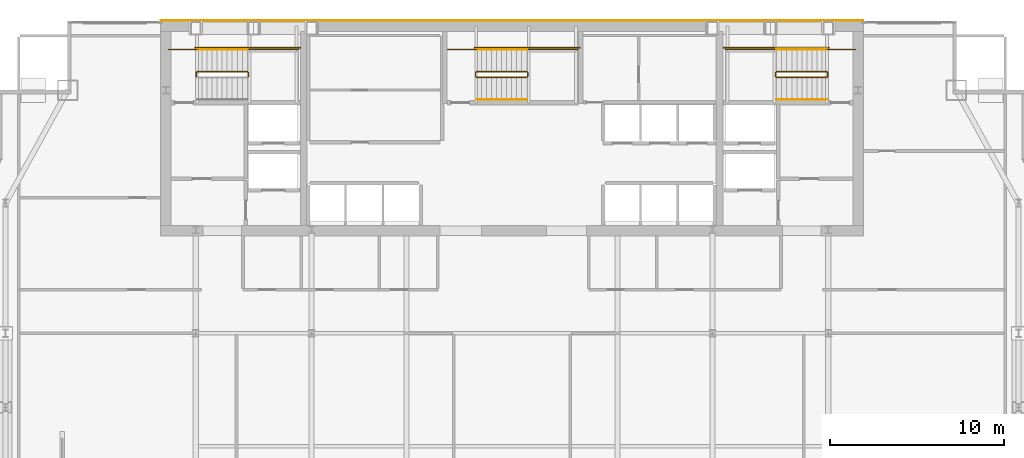
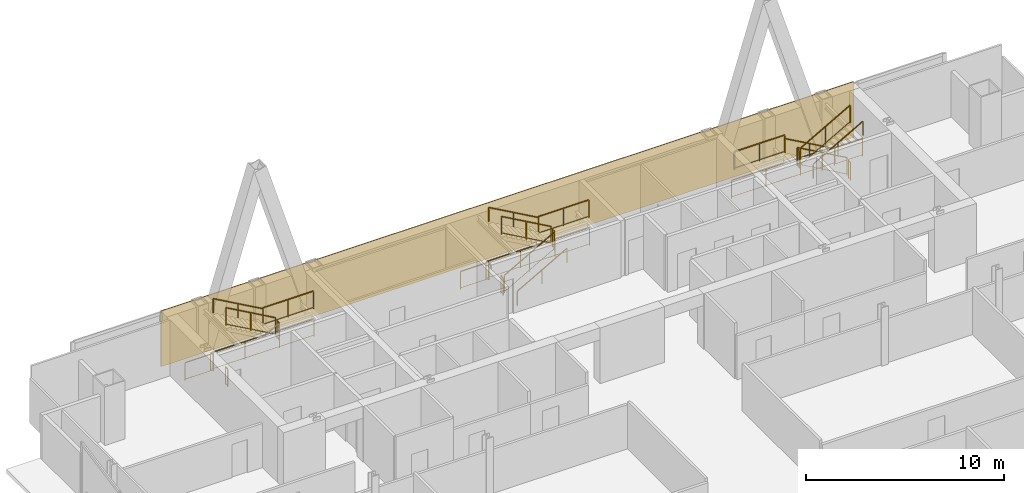
# One storey, part 32 of 32: 25 railings, 1 covering.
"""IFC4 building model written with IfcOpenShell, lengths in metres."""

from ifc_helpers import new_model, si_unit, direction, frame, origin, origin_2d, place, context, subcontext, project, spatial, polyline, rectangle, outline, extrude, material, layer, layer_set, type_object, element, save


model = new_model("IFC4")

# Units and contexts
model_context = context("Model", 3, precision=1e-05, world=origin(), true_north=direction((0.0, 1.0)))
body_context = subcontext(model_context, "Body", "Model", "MODEL_VIEW")
ifc_project = project(units=[si_unit("LENGTHUNIT", "METRE"), si_unit("AREAUNIT", "SQUARE_METRE"), si_unit("VOLUMEUNIT", "CUBIC_METRE"), si_unit("PLANEANGLEUNIT", "RADIAN"), si_unit("MASSUNIT", "GRAM", prefix="KILO")], contexts=[model_context])

# Site, building, storey
site_placement = place(None, origin())
site = spatial("IfcSite", under=ifc_project, at=site_placement, CompositionType="ELEMENT")
building_placement = place(site_placement, origin())
building = spatial("IfcBuilding", under=site, at=building_placement, Name="Khoronbel Lancet Exchange", CompositionType="ELEMENT")
storey_placement = place(building_placement, frame((0.0, 0.0, 188.60009765625)))
storey = spatial("IfcBuildingStorey", under=building, at=storey_placement, Name="L47", CompositionType="ELEMENT", Elevation=188.60009765625)

# Covering
ifc_material_1 = material(Name="Honed Egyptian Limestone & Bronze Rainscreen", Category="masonry")
ifc_layer = layer(ifc_material_1, 0.050048828125, Name="Honed Egyptian Limestone & Bronze Rainscreen")
ifc_layer_set = layer_set([ifc_layer], Name="Honed Egyptian Limestone & Bronze Rainscreen")
covering_type = type_object("IfcCoveringType", Name="COV-CLAD1", PredefinedType="CLADDING", material=ifc_layer_set)
covering_placement = place(storey_placement, origin())
element("IfcCovering", 1, at=covering_placement, inside=storey, type_object=covering_type, Name="Level L47 north rear-core stone and bronze rainscreen cladding", PredefinedType="CLADDING", context=body_context, shape_type="SweptSolid", body=[
    extrude(outline(polyline([(16.199951171875, 53.699951171875), (56.699951171875, 53.699951171875), (56.699951171875, 53.75), (16.199951171875, 53.75), (16.199951171875, 53.699951171875)])), origin(), (0.0, 0.0, 1.0), 3.43994140625),
])

# Railings
ifc_material_2 = material(Name="Painted Steel Balustrade", Category="steel")
railing_type_1 = type_object("IfcRailingType", Name="RL-STG110", PredefinedType="GUARDRAIL", material=ifc_material_2)
railing_1_placement = place(storey_placement, frame((21.25, 50.5, 1.7998046875)))
element("IfcRailing", 2, at=railing_1_placement, inside=storey, type_object=railing_type_1, Name="L47 ST1 stair guard 2", PredefinedType="GUARDRAIL", context=body_context, shape_type="SweptSolid", body=[
    extrude(rectangle(XDim=0.048095703125, YDim=0.048095703125, at=origin_2d()), frame((0.0, 0.0, 1.09619140625), z_axis=(0.0, 1.0, 0.0), x_axis=(-1.0, 0.0, 0.0)), (0.0, 0.0, 1.0), 0.219970703125),
    extrude(rectangle(XDim=0.02392578125, YDim=0.02392578125, at=origin_2d()), frame((0.0, 0.0, 0.080078125), z_axis=(0.0, 1.0, 0.0), x_axis=(-1.0, 0.0, 0.0)), (0.0, 0.0, 1.0), 0.219970703125),
    extrude(rectangle(XDim=0.0419921875, YDim=0.0419921875, at=origin_2d()), origin(), (0.0, 0.0, 1.0), 1.072021484375),
    extrude(rectangle(XDim=0.0419921875, YDim=0.0419921875, at=origin_2d()), frame((0.0, 0.219970703125, 0.0)), (0.0, 0.0, 1.0), 1.072021484375),
])
railing_2_placement = place(storey_placement, frame((21.199951171875, 52.050048828125, 1.7998046875)))
element("IfcRailing", 3, at=railing_2_placement, inside=storey, type_object=railing_type_1, Name="L47 ST1 stair guard 3", PredefinedType="GUARDRAIL", context=body_context, shape_type="SweptSolid", body=[
    extrude(rectangle(XDim=0.048095703125, YDim=0.048095703125, at=origin_2d()), frame((0.0, 0.0, 1.09619140625), z_axis=(1.0, 0.0, 0.0), x_axis=(0.0, 1.0, 0.0)), (0.0, 0.0, 1.0), 2.949951171875),
    extrude(rectangle(XDim=0.02392578125, YDim=0.02392578125, at=origin_2d()), frame((0.0, 0.0, 0.080078125), z_axis=(1.0, 0.0, 0.0), x_axis=(0.0, 1.0, 0.0)), (0.0, 0.0, 1.0), 2.949951171875),
    extrude(rectangle(XDim=0.0419921875, YDim=0.0419921875, at=origin_2d()), origin(), (0.0, 0.0, 1.0), 1.072021484375),
    extrude(rectangle(XDim=0.0419921875, YDim=0.0419921875, at=origin_2d()), frame((1.47509765625, 0.0, 0.0)), (0.0, 0.0, 1.0), 1.072021484375),
    extrude(rectangle(XDim=0.0419921875, YDim=0.0419921875, at=origin_2d()), frame((2.949951171875, 0.0, 0.0)), (0.0, 0.0, 1.0), 1.072021484375),
])
railing_3_placement = place(storey_placement, frame((21.199951171875, 50.77001953125, 1.963623046875)))
element("IfcRailing", 4, at=railing_3_placement, inside=storey, type_object=railing_type_1, Name="L47 ST1 stair guard 4", PredefinedType="GUARDRAIL", context=body_context, shape_type="SweptSolid", body=[
    extrude(rectangle(XDim=0.048095703125, YDim=0.048095703125, at=origin_2d()), frame((0.0, 0.0, 1.09619140625), z_axis=(-0.870928581787, 0.0, 0.491409610636), x_axis=(0.0, -1.0, 0.0)), (0.0, 0.0, 1.0), 3.32958984375),
    extrude(rectangle(XDim=0.02392578125, YDim=0.02392578125, at=origin_2d()), frame((0.0, 0.0, 0.080078125), z_axis=(-0.870928581787, 0.0, 0.491409610636), x_axis=(0.0, -1.0, 0.0)), (0.0, 0.0, 1.0), 3.32958984375),
    extrude(rectangle(XDim=0.0419921875, YDim=0.0419921875, at=origin_2d()), origin(), (0.0, 0.0, 1.0), 1.072021484375),
    extrude(rectangle(XDim=0.0419921875, YDim=0.0419921875, at=origin_2d()), frame((-1.449951171875, 0.0, 0.818115234375)), (0.0, 0.0, 1.0), 1.072021484375),
    extrude(rectangle(XDim=0.0419921875, YDim=0.0419921875, at=origin_2d()), frame((-2.89990234375, 0.0, 1.63623046875)), (0.0, 0.0, 1.0), 1.072021484375),
])
railing_4_placement = place(storey_placement, frame((18.25, 50.5, 0.0)))
element("IfcRailing", 5, at=railing_4_placement, inside=storey, type_object=railing_type_1, Name="L47 ST1 stair guard 5", PredefinedType="GUARDRAIL", context=body_context, shape_type="SweptSolid", body=[
    extrude(rectangle(XDim=0.048095703125, YDim=0.048095703125, at=origin_2d()), frame((0.0, 0.0, 1.09619140625), z_axis=(0.0, 1.0, 0.0), x_axis=(-1.0, 0.0, 0.0)), (0.0, 0.0, 1.0), 0.219970703125),
    extrude(rectangle(XDim=0.02392578125, YDim=0.02392578125, at=origin_2d()), frame((0.0, 0.0, 0.080078125), z_axis=(0.0, 1.0, 0.0), x_axis=(-1.0, 0.0, 0.0)), (0.0, 0.0, 1.0), 0.219970703125),
    extrude(rectangle(XDim=0.0419921875, YDim=0.0419921875, at=origin_2d()), origin(), (0.0, 0.0, 1.0), 1.072021484375),
    extrude(rectangle(XDim=0.0419921875, YDim=0.0419921875, at=origin_2d()), frame((0.0, 0.219970703125, 0.0)), (0.0, 0.0, 1.0), 1.072021484375),
])
railing_5_placement = place(storey_placement, frame((16.64990234375, 52.050048828125, 0.0)))
element("IfcRailing", 6, at=railing_5_placement, inside=storey, type_object=railing_type_1, Name="L47 ST1 stair guard 6", PredefinedType="GUARDRAIL", context=body_context, shape_type="SweptSolid", body=[
    extrude(rectangle(XDim=0.048095703125, YDim=0.048095703125, at=origin_2d()), frame((0.0, 0.0, 1.09619140625), z_axis=(1.0, 0.0, 0.0), x_axis=(0.0, 1.0, 0.0)), (0.0, 0.0, 1.0), 1.650146484375),
    extrude(rectangle(XDim=0.02392578125, YDim=0.02392578125, at=origin_2d()), frame((0.0, 0.0, 0.080078125), z_axis=(1.0, 0.0, 0.0), x_axis=(0.0, 1.0, 0.0)), (0.0, 0.0, 1.0), 1.650146484375),
    extrude(rectangle(XDim=0.0419921875, YDim=0.0419921875, at=origin_2d()), origin(), (0.0, 0.0, 1.0), 1.072021484375),
    extrude(rectangle(XDim=0.0419921875, YDim=0.0419921875, at=origin_2d()), frame((1.650146484375, 0.0, 0.0)), (0.0, 0.0, 1.0), 1.072021484375),
])
railing_6_placement = place(storey_placement, frame((18.199951171875, 52.14990234375, 0.0)))
element("IfcRailing", 7, at=railing_6_placement, inside=storey, type_object=railing_type_1, Name="L47 ST1 stair guard 7", PredefinedType="GUARDRAIL", context=body_context, shape_type="SweptSolid", body=[
    extrude(rectangle(XDim=0.048095703125, YDim=0.048095703125, at=origin_2d()), frame((0.0, 0.0, 1.09619140625), z_axis=(1.0, 0.0, 0.0), x_axis=(0.0, 1.0, 0.0)), (0.0, 0.0, 1.0), 6.050048828125),
    extrude(rectangle(XDim=0.02392578125, YDim=0.02392578125, at=origin_2d()), frame((0.0, 0.0, 0.080078125), z_axis=(1.0, 0.0, 0.0), x_axis=(0.0, 1.0, 0.0)), (0.0, 0.0, 1.0), 6.050048828125),
    extrude(rectangle(XDim=0.0419921875, YDim=0.0419921875, at=origin_2d()), origin(), (0.0, 0.0, 1.0), 1.072021484375),
    extrude(rectangle(XDim=0.0419921875, YDim=0.0419921875, at=origin_2d()), frame((2.0166015625, 0.0, 0.0)), (0.0, 0.0, 1.0), 1.072021484375),
    extrude(rectangle(XDim=0.0419921875, YDim=0.0419921875, at=origin_2d()), frame((4.033447265625, 0.0, 0.0)), (0.0, 0.0, 1.0), 1.072021484375),
    extrude(rectangle(XDim=0.0419921875, YDim=0.0419921875, at=origin_2d()), frame((6.050048828125, 0.0, 0.0)), (0.0, 0.0, 1.0), 1.072021484375),
])
railing_7_placement = place(storey_placement, frame((54.60009765625, 50.77001953125, 0.16357421875)))
element("IfcRailing", 8, at=railing_7_placement, inside=storey, type_object=railing_type_1, Name="L47 ST2 stair guard 1", PredefinedType="GUARDRAIL", context=body_context, shape_type="SweptSolid", body=[
    extrude(rectangle(XDim=0.048095703125, YDim=0.048095703125, at=origin_2d()), frame((0.0, 0.0, 1.09619140625), z_axis=(-0.870946286338, 0.0, 0.49137823142), x_axis=(0.0, -1.0, 0.0)), (0.0, 0.0, 1.0), 3.329833984375),
    extrude(rectangle(XDim=0.02392578125, YDim=0.02392578125, at=origin_2d()), frame((0.0, 0.0, 0.080078125), z_axis=(-0.870946286338, 0.0, 0.49137823142), x_axis=(0.0, -1.0, 0.0)), (0.0, 0.0, 1.0), 3.329833984375),
    extrude(rectangle(XDim=0.0419921875, YDim=0.0419921875, at=origin_2d()), origin(), (0.0, 0.0, 1.0), 1.072021484375),
    extrude(rectangle(XDim=0.0419921875, YDim=0.0419921875, at=origin_2d()), frame((-1.4501953125, 0.0, 0.818115234375)), (0.0, 0.0, 1.0), 1.072021484375),
    extrude(rectangle(XDim=0.0419921875, YDim=0.0419921875, at=origin_2d()), frame((-2.900146484375, 0.0, 1.63623046875)), (0.0, 0.0, 1.0), 1.072021484375),
])
railing_8_placement = place(storey_placement, frame((51.64990234375, 50.719970703125, 1.7998046875)))
element("IfcRailing", 9, at=railing_8_placement, inside=storey, type_object=railing_type_1, Name="L47 ST2 stair guard 2", PredefinedType="GUARDRAIL", context=body_context, shape_type="SweptSolid", body=[
    extrude(rectangle(XDim=0.048095703125, YDim=0.048095703125, at=origin_2d()), frame((0.0, 0.0, 1.09619140625), z_axis=(0.0, -1.0, 0.0), x_axis=(1.0, 0.0, 0.0)), (0.0, 0.0, 1.0), 0.219970703125),
    extrude(rectangle(XDim=0.02392578125, YDim=0.02392578125, at=origin_2d()), frame((0.0, 0.0, 0.080078125), z_axis=(0.0, -1.0, 0.0), x_axis=(1.0, 0.0, 0.0)), (0.0, 0.0, 1.0), 0.219970703125),
    extrude(rectangle(XDim=0.0419921875, YDim=0.0419921875, at=origin_2d()), origin(), (0.0, 0.0, 1.0), 1.072021484375),
    extrude(rectangle(XDim=0.0419921875, YDim=0.0419921875, at=origin_2d()), frame((0.0, -0.219970703125, 0.0)), (0.0, 0.0, 1.0), 1.072021484375),
])
railing_9_placement = place(storey_placement, frame((51.699951171875, 52.050048828125, 1.7998046875)))
element("IfcRailing", 10, at=railing_9_placement, inside=storey, type_object=railing_type_1, Name="L47 ST2 stair guard 3", PredefinedType="GUARDRAIL", context=body_context, shape_type="SweptSolid", body=[
    extrude(rectangle(XDim=0.048095703125, YDim=0.048095703125, at=origin_2d()), frame((0.0, 0.0, 1.09619140625), z_axis=(-1.0, 0.0, 0.0), x_axis=(0.0, -1.0, 0.0)), (0.0, 0.0, 1.0), 2.949951171875),
    extrude(rectangle(XDim=0.02392578125, YDim=0.02392578125, at=origin_2d()), frame((0.0, 0.0, 0.080078125), z_axis=(-1.0, 0.0, 0.0), x_axis=(0.0, -1.0, 0.0)), (0.0, 0.0, 1.0), 2.949951171875),
    extrude(rectangle(XDim=0.0419921875, YDim=0.0419921875, at=origin_2d()), origin(), (0.0, 0.0, 1.0), 1.072021484375),
    extrude(rectangle(XDim=0.0419921875, YDim=0.0419921875, at=origin_2d()), frame((-1.47509765625, 0.0, 0.0)), (0.0, 0.0, 1.0), 1.072021484375),
    extrude(rectangle(XDim=0.0419921875, YDim=0.0419921875, at=origin_2d()), frame((-2.949951171875, 0.0, 0.0)), (0.0, 0.0, 1.0), 1.072021484375),
])
railing_10_placement = place(storey_placement, frame((51.699951171875, 50.449951171875, 1.963623046875)))
element("IfcRailing", 11, at=railing_10_placement, inside=storey, type_object=railing_type_1, Name="L47 ST2 stair guard 4", PredefinedType="GUARDRAIL", context=body_context, shape_type="SweptSolid", body=[
    extrude(rectangle(XDim=0.048095703125, YDim=0.048095703125, at=origin_2d()), frame((0.0, 0.0, 1.09619140625), z_axis=(0.870946286338, 0.0, 0.49137823142), x_axis=(0.0, 1.0, 0.0)), (0.0, 0.0, 1.0), 3.329833984375),
    extrude(rectangle(XDim=0.02392578125, YDim=0.02392578125, at=origin_2d()), frame((0.0, 0.0, 0.080078125), z_axis=(0.870946286338, 0.0, 0.49137823142), x_axis=(0.0, 1.0, 0.0)), (0.0, 0.0, 1.0), 3.329833984375),
    extrude(rectangle(XDim=0.0419921875, YDim=0.0419921875, at=origin_2d()), origin(), (0.0, 0.0, 1.0), 1.072021484375),
    extrude(rectangle(XDim=0.0419921875, YDim=0.0419921875, at=origin_2d()), frame((1.4501953125, 0.0, 0.818115234375)), (0.0, 0.0, 1.0), 1.072021484375),
    extrude(rectangle(XDim=0.0419921875, YDim=0.0419921875, at=origin_2d()), frame((2.900146484375, 0.0, 1.63623046875)), (0.0, 0.0, 1.0), 1.072021484375),
])
railing_11_placement = place(storey_placement, frame((54.64990234375, 50.719970703125, 0.0)))
element("IfcRailing", 12, at=railing_11_placement, inside=storey, type_object=railing_type_1, Name="L47 ST2 stair guard 5", PredefinedType="GUARDRAIL", context=body_context, shape_type="SweptSolid", body=[
    extrude(rectangle(XDim=0.048095703125, YDim=0.048095703125, at=origin_2d()), frame((0.0, 0.0, 1.09619140625), z_axis=(0.0, -1.0, 0.0), x_axis=(1.0, 0.0, 0.0)), (0.0, 0.0, 1.0), 0.219970703125),
    extrude(rectangle(XDim=0.02392578125, YDim=0.02392578125, at=origin_2d()), frame((0.0, 0.0, 0.080078125), z_axis=(0.0, -1.0, 0.0), x_axis=(1.0, 0.0, 0.0)), (0.0, 0.0, 1.0), 0.219970703125),
    extrude(rectangle(XDim=0.0419921875, YDim=0.0419921875, at=origin_2d()), origin(), (0.0, 0.0, 1.0), 1.072021484375),
    extrude(rectangle(XDim=0.0419921875, YDim=0.0419921875, at=origin_2d()), frame((0.0, -0.219970703125, 0.0)), (0.0, 0.0, 1.0), 1.072021484375),
])
railing_12_placement = place(storey_placement, frame((56.25, 52.050048828125, 0.0)))
element("IfcRailing", 13, at=railing_12_placement, inside=storey, type_object=railing_type_1, Name="L47 ST2 stair guard 6", PredefinedType="GUARDRAIL", context=body_context, shape_type="SweptSolid", body=[
    extrude(rectangle(XDim=0.048095703125, YDim=0.048095703125, at=origin_2d()), frame((0.0, 0.0, 1.09619140625), z_axis=(-1.0, 0.0, 0.0), x_axis=(0.0, -1.0, 0.0)), (0.0, 0.0, 1.0), 1.64990234375),
    extrude(rectangle(XDim=0.02392578125, YDim=0.02392578125, at=origin_2d()), frame((0.0, 0.0, 0.080078125), z_axis=(-1.0, 0.0, 0.0), x_axis=(0.0, -1.0, 0.0)), (0.0, 0.0, 1.0), 1.64990234375),
    extrude(rectangle(XDim=0.0419921875, YDim=0.0419921875, at=origin_2d()), origin(), (0.0, 0.0, 1.0), 1.072021484375),
    extrude(rectangle(XDim=0.0419921875, YDim=0.0419921875, at=origin_2d()), frame((-1.64990234375, 0.0, 0.0)), (0.0, 0.0, 1.0), 1.072021484375),
])
railing_13_placement = place(storey_placement, frame((54.699951171875, 52.14990234375, 0.0)))
element("IfcRailing", 14, at=railing_13_placement, inside=storey, type_object=railing_type_1, Name="L47 ST2 stair guard 7", PredefinedType="GUARDRAIL", context=body_context, shape_type="SweptSolid", body=[
    extrude(rectangle(XDim=0.048095703125, YDim=0.048095703125, at=origin_2d()), frame((0.0, 0.0, 1.09619140625), z_axis=(-1.0, 0.0, 0.0), x_axis=(0.0, -1.0, 0.0)), (0.0, 0.0, 1.0), 6.050048828125),
    extrude(rectangle(XDim=0.02392578125, YDim=0.02392578125, at=origin_2d()), frame((0.0, 0.0, 0.080078125), z_axis=(-1.0, 0.0, 0.0), x_axis=(0.0, -1.0, 0.0)), (0.0, 0.0, 1.0), 6.050048828125),
    extrude(rectangle(XDim=0.0419921875, YDim=0.0419921875, at=origin_2d()), origin(), (0.0, 0.0, 1.0), 1.072021484375),
    extrude(rectangle(XDim=0.0419921875, YDim=0.0419921875, at=origin_2d()), frame((-2.0166015625, 0.0, 0.0)), (0.0, 0.0, 1.0), 1.072021484375),
    extrude(rectangle(XDim=0.0419921875, YDim=0.0419921875, at=origin_2d()), frame((-4.033447265625, 0.0, 0.0)), (0.0, 0.0, 1.0), 1.072021484375),
    extrude(rectangle(XDim=0.0419921875, YDim=0.0419921875, at=origin_2d()), frame((-6.050048828125, 0.0, 0.0)), (0.0, 0.0, 1.0), 1.072021484375),
])
railing_14_placement = place(storey_placement, frame((34.39990234375, 50.449951171875, 0.16357421875)))
element("IfcRailing", 15, at=railing_14_placement, inside=storey, type_object=railing_type_1, Name="L47 ST3 stair guard 1", PredefinedType="GUARDRAIL", context=body_context, shape_type="SweptSolid", body=[
    extrude(rectangle(XDim=0.048095703125, YDim=0.048095703125, at=origin_2d()), frame((0.0, 0.0, 1.09619140625), z_axis=(0.870946286338, 0.0, 0.49137823142), x_axis=(0.0, 1.0, 0.0)), (0.0, 0.0, 1.0), 3.329833984375),
    extrude(rectangle(XDim=0.02392578125, YDim=0.02392578125, at=origin_2d()), frame((0.0, 0.0, 0.080078125), z_axis=(0.870946286338, 0.0, 0.49137823142), x_axis=(0.0, 1.0, 0.0)), (0.0, 0.0, 1.0), 3.329833984375),
    extrude(rectangle(XDim=0.0419921875, YDim=0.0419921875, at=origin_2d()), origin(), (0.0, 0.0, 1.0), 1.072021484375),
    extrude(rectangle(XDim=0.0419921875, YDim=0.0419921875, at=origin_2d()), frame((1.4501953125, 0.0, 0.818115234375)), (0.0, 0.0, 1.0), 1.072021484375),
    extrude(rectangle(XDim=0.0419921875, YDim=0.0419921875, at=origin_2d()), frame((2.900146484375, 0.0, 1.63623046875)), (0.0, 0.0, 1.0), 1.072021484375),
])
railing_15_placement = place(storey_placement, frame((37.35009765625, 50.5, 1.7998046875)))
element("IfcRailing", 16, at=railing_15_placement, inside=storey, type_object=railing_type_1, Name="L47 ST3 stair guard 2", PredefinedType="GUARDRAIL", context=body_context, shape_type="SweptSolid", body=[
    extrude(rectangle(XDim=0.048095703125, YDim=0.048095703125, at=origin_2d()), frame((0.0, 0.0, 1.09619140625), z_axis=(0.0, 1.0, 0.0), x_axis=(-1.0, 0.0, 0.0)), (0.0, 0.0, 1.0), 0.219970703125),
    extrude(rectangle(XDim=0.02392578125, YDim=0.02392578125, at=origin_2d()), frame((0.0, 0.0, 0.080078125), z_axis=(0.0, 1.0, 0.0), x_axis=(-1.0, 0.0, 0.0)), (0.0, 0.0, 1.0), 0.219970703125),
    extrude(rectangle(XDim=0.0419921875, YDim=0.0419921875, at=origin_2d()), origin(), (0.0, 0.0, 1.0), 1.072021484375),
    extrude(rectangle(XDim=0.0419921875, YDim=0.0419921875, at=origin_2d()), frame((0.0, 0.219970703125, 0.0)), (0.0, 0.0, 1.0), 1.072021484375),
])
railing_16_placement = place(storey_placement, frame((37.300048828125, 52.050048828125, 1.7998046875)))
element("IfcRailing", 17, at=railing_16_placement, inside=storey, type_object=railing_type_1, Name="L47 ST3 stair guard 3", PredefinedType="GUARDRAIL", context=body_context, shape_type="SweptSolid", body=[
    extrude(rectangle(XDim=0.048095703125, YDim=0.048095703125, at=origin_2d()), frame((0.0, 0.0, 1.09619140625), z_axis=(1.0, 0.0, 0.0), x_axis=(0.0, 1.0, 0.0)), (0.0, 0.0, 1.0), 2.949951171875),
    extrude(rectangle(XDim=0.02392578125, YDim=0.02392578125, at=origin_2d()), frame((0.0, 0.0, 0.080078125), z_axis=(1.0, 0.0, 0.0), x_axis=(0.0, 1.0, 0.0)), (0.0, 0.0, 1.0), 2.949951171875),
    extrude(rectangle(XDim=0.0419921875, YDim=0.0419921875, at=origin_2d()), origin(), (0.0, 0.0, 1.0), 1.072021484375),
    extrude(rectangle(XDim=0.0419921875, YDim=0.0419921875, at=origin_2d()), frame((1.47509765625, 0.0, 0.0)), (0.0, 0.0, 1.0), 1.072021484375),
    extrude(rectangle(XDim=0.0419921875, YDim=0.0419921875, at=origin_2d()), frame((2.949951171875, 0.0, 0.0)), (0.0, 0.0, 1.0), 1.072021484375),
])
railing_17_placement = place(storey_placement, frame((37.300048828125, 50.77001953125, 1.963623046875)))
element("IfcRailing", 18, at=railing_17_placement, inside=storey, type_object=railing_type_1, Name="L47 ST3 stair guard 4", PredefinedType="GUARDRAIL", context=body_context, shape_type="SweptSolid", body=[
    extrude(rectangle(XDim=0.048095703125, YDim=0.048095703125, at=origin_2d()), frame((0.0, 0.0, 1.09619140625), z_axis=(-0.870946286338, 0.0, 0.49137823142), x_axis=(0.0, -1.0, 0.0)), (0.0, 0.0, 1.0), 3.329833984375),
    extrude(rectangle(XDim=0.02392578125, YDim=0.02392578125, at=origin_2d()), frame((0.0, 0.0, 0.080078125), z_axis=(-0.870946286338, 0.0, 0.49137823142), x_axis=(0.0, -1.0, 0.0)), (0.0, 0.0, 1.0), 3.329833984375),
    extrude(rectangle(XDim=0.0419921875, YDim=0.0419921875, at=origin_2d()), origin(), (0.0, 0.0, 1.0), 1.072021484375),
    extrude(rectangle(XDim=0.0419921875, YDim=0.0419921875, at=origin_2d()), frame((-1.4501953125, 0.0, 0.818115234375)), (0.0, 0.0, 1.0), 1.072021484375),
    extrude(rectangle(XDim=0.0419921875, YDim=0.0419921875, at=origin_2d()), frame((-2.900146484375, 0.0, 1.63623046875)), (0.0, 0.0, 1.0), 1.072021484375),
])
railing_18_placement = place(storey_placement, frame((34.35009765625, 50.5, 0.0)))
element("IfcRailing", 19, at=railing_18_placement, inside=storey, type_object=railing_type_1, Name="L47 ST3 stair guard 5", PredefinedType="GUARDRAIL", context=body_context, shape_type="SweptSolid", body=[
    extrude(rectangle(XDim=0.048095703125, YDim=0.048095703125, at=origin_2d()), frame((0.0, 0.0, 1.09619140625), z_axis=(0.0, 1.0, 0.0), x_axis=(-1.0, 0.0, 0.0)), (0.0, 0.0, 1.0), 0.219970703125),
    extrude(rectangle(XDim=0.02392578125, YDim=0.02392578125, at=origin_2d()), frame((0.0, 0.0, 0.080078125), z_axis=(0.0, 1.0, 0.0), x_axis=(-1.0, 0.0, 0.0)), (0.0, 0.0, 1.0), 0.219970703125),
    extrude(rectangle(XDim=0.0419921875, YDim=0.0419921875, at=origin_2d()), origin(), (0.0, 0.0, 1.0), 1.072021484375),
    extrude(rectangle(XDim=0.0419921875, YDim=0.0419921875, at=origin_2d()), frame((0.0, 0.219970703125, 0.0)), (0.0, 0.0, 1.0), 1.072021484375),
])
railing_19_placement = place(storey_placement, frame((32.75, 52.050048828125, 0.0)))
element("IfcRailing", 20, at=railing_19_placement, inside=storey, type_object=railing_type_1, Name="L47 ST3 stair guard 6", PredefinedType="GUARDRAIL", context=body_context, shape_type="SweptSolid", body=[
    extrude(rectangle(XDim=0.048095703125, YDim=0.048095703125, at=origin_2d()), frame((0.0, 0.0, 1.09619140625), z_axis=(1.0, 0.0, 0.0), x_axis=(0.0, 1.0, 0.0)), (0.0, 0.0, 1.0), 1.64990234375),
    extrude(rectangle(XDim=0.02392578125, YDim=0.02392578125, at=origin_2d()), frame((0.0, 0.0, 0.080078125), z_axis=(1.0, 0.0, 0.0), x_axis=(0.0, 1.0, 0.0)), (0.0, 0.0, 1.0), 1.64990234375),
    extrude(rectangle(XDim=0.0419921875, YDim=0.0419921875, at=origin_2d()), origin(), (0.0, 0.0, 1.0), 1.072021484375),
    extrude(rectangle(XDim=0.0419921875, YDim=0.0419921875, at=origin_2d()), frame((1.64990234375, 0.0, 0.0)), (0.0, 0.0, 1.0), 1.072021484375),
])
railing_20_placement = place(storey_placement, frame((34.300048828125, 52.14990234375, 0.0)))
element("IfcRailing", 21, at=railing_20_placement, inside=storey, type_object=railing_type_1, Name="L47 ST3 stair guard 7", PredefinedType="GUARDRAIL", context=body_context, shape_type="SweptSolid", body=[
    extrude(rectangle(XDim=0.048095703125, YDim=0.048095703125, at=origin_2d()), frame((0.0, 0.0, 1.09619140625), z_axis=(1.0, 0.0, 0.0), x_axis=(0.0, 1.0, 0.0)), (0.0, 0.0, 1.0), 6.050048828125),
    extrude(rectangle(XDim=0.02392578125, YDim=0.02392578125, at=origin_2d()), frame((0.0, 0.0, 0.080078125), z_axis=(1.0, 0.0, 0.0), x_axis=(0.0, 1.0, 0.0)), (0.0, 0.0, 1.0), 6.050048828125),
    extrude(rectangle(XDim=0.0419921875, YDim=0.0419921875, at=origin_2d()), origin(), (0.0, 0.0, 1.0), 1.072021484375),
    extrude(rectangle(XDim=0.0419921875, YDim=0.0419921875, at=origin_2d()), frame((2.0166015625, 0.0, 0.0)), (0.0, 0.0, 1.0), 1.072021484375),
    extrude(rectangle(XDim=0.0419921875, YDim=0.0419921875, at=origin_2d()), frame((4.033447265625, 0.0, 0.0)), (0.0, 0.0, 1.0), 1.072021484375),
    extrude(rectangle(XDim=0.0419921875, YDim=0.0419921875, at=origin_2d()), frame((6.050048828125, 0.0, 0.0)), (0.0, 0.0, 1.0), 1.072021484375),
])
ifc_material_3 = material(Name="Brushed Stainless Steel 316", Category="steel")
railing_type_2 = type_object("IfcRailingType", Name="RL-STH92", PredefinedType="HANDRAIL", material=ifc_material_3)
railing_21_placement = place(storey_placement, frame((21.199951171875, 52.050048828125, 1.963623046875)))
element("IfcRailing", 22, at=railing_21_placement, inside=storey, type_object=railing_type_2, Name="L47 ST1 stair handrail 2", PredefinedType="HANDRAIL", context=body_context, shape_type="SweptSolid", body=[
    extrude(rectangle(XDim=0.048095703125, YDim=0.048095703125, at=origin_2d()), frame((0.0, 0.0, 0.8759765625), z_axis=(-0.870928581787, 0.0, 0.491409610636), x_axis=(0.0, -1.0, 0.0)), (0.0, 0.0, 1.0), 3.32958984375),
    extrude(rectangle(XDim=0.0419921875, YDim=0.0419921875, at=origin_2d()), origin(), (0.0, 0.0, 1.0), 0.851806640625),
    extrude(rectangle(XDim=0.0419921875, YDim=0.0419921875, at=origin_2d()), frame((-1.449951171875, 0.0, 0.818115234375)), (0.0, 0.0, 1.0), 0.851806640625),
    extrude(rectangle(XDim=0.0419921875, YDim=0.0419921875, at=origin_2d()), frame((-2.89990234375, 0.0, 1.63623046875)), (0.0, 0.0, 1.0), 0.851806640625),
])
railing_22_placement = place(storey_placement, frame((54.60009765625, 52.050048828125, 0.16357421875)))
element("IfcRailing", 23, at=railing_22_placement, inside=storey, type_object=railing_type_2, Name="L47 ST2 stair handrail 1", PredefinedType="HANDRAIL", context=body_context, shape_type="SweptSolid", body=[
    extrude(rectangle(XDim=0.048095703125, YDim=0.048095703125, at=origin_2d()), frame((0.0, 0.0, 0.8759765625), z_axis=(-0.870946286338, 0.0, 0.49137823142), x_axis=(0.0, -1.0, 0.0)), (0.0, 0.0, 1.0), 3.329833984375),
    extrude(rectangle(XDim=0.0419921875, YDim=0.0419921875, at=origin_2d()), origin(), (0.0, 0.0, 1.0), 0.851806640625),
    extrude(rectangle(XDim=0.0419921875, YDim=0.0419921875, at=origin_2d()), frame((-1.4501953125, 0.0, 0.818115234375)), (0.0, 0.0, 1.0), 0.851806640625),
    extrude(rectangle(XDim=0.0419921875, YDim=0.0419921875, at=origin_2d()), frame((-2.900146484375, 0.0, 1.63623046875)), (0.0, 0.0, 1.0), 0.851806640625),
])
for number, where, name in (
    (24, (51.699951171875, 49.169921875, 1.963623046875), "L47 ST2 stair handrail 2"),
    (25, (34.39990234375, 49.169921875, 0.16357421875), "L47 ST3 stair handrail 1"),
):
    element("IfcRailing", number, at=place(storey_placement, frame(where)), inside=storey, type_object=railing_type_2, Name=name, PredefinedType="HANDRAIL", context=body_context, shape_type="SweptSolid", body=[
        extrude(rectangle(XDim=0.048095703125, YDim=0.048095703125, at=origin_2d()), frame((0.0, 0.0, 0.8759765625), z_axis=(0.870946286338, 0.0, 0.49137823142), x_axis=(0.0, 1.0, 0.0)), (0.0, 0.0, 1.0), 3.329833984375),
        extrude(rectangle(XDim=0.0419921875, YDim=0.0419921875, at=origin_2d()), origin(), (0.0, 0.0, 1.0), 0.851806640625),
        extrude(rectangle(XDim=0.0419921875, YDim=0.0419921875, at=origin_2d()), frame((1.4501953125, 0.0, 0.818115234375)), (0.0, 0.0, 1.0), 0.851806640625),
        extrude(rectangle(XDim=0.0419921875, YDim=0.0419921875, at=origin_2d()), frame((2.900146484375, 0.0, 1.63623046875)), (0.0, 0.0, 1.0), 0.851806640625),
    ])
railing_23_placement = place(storey_placement, frame((37.300048828125, 52.050048828125, 1.963623046875)))
element("IfcRailing", 26, at=railing_23_placement, inside=storey, type_object=railing_type_2, Name="L47 ST3 stair handrail 2", PredefinedType="HANDRAIL", context=body_context, shape_type="SweptSolid", body=[
    extrude(rectangle(XDim=0.048095703125, YDim=0.048095703125, at=origin_2d()), frame((0.0, 0.0, 0.8759765625), z_axis=(-0.870946286338, 0.0, 0.49137823142), x_axis=(0.0, -1.0, 0.0)), (0.0, 0.0, 1.0), 3.329833984375),
    extrude(rectangle(XDim=0.0419921875, YDim=0.0419921875, at=origin_2d()), origin(), (0.0, 0.0, 1.0), 0.851806640625),
    extrude(rectangle(XDim=0.0419921875, YDim=0.0419921875, at=origin_2d()), frame((-1.4501953125, 0.0, 0.818115234375)), (0.0, 0.0, 1.0), 0.851806640625),
    extrude(rectangle(XDim=0.0419921875, YDim=0.0419921875, at=origin_2d()), frame((-2.900146484375, 0.0, 1.63623046875)), (0.0, 0.0, 1.0), 0.851806640625),
])

save(model, "model.ifc")
